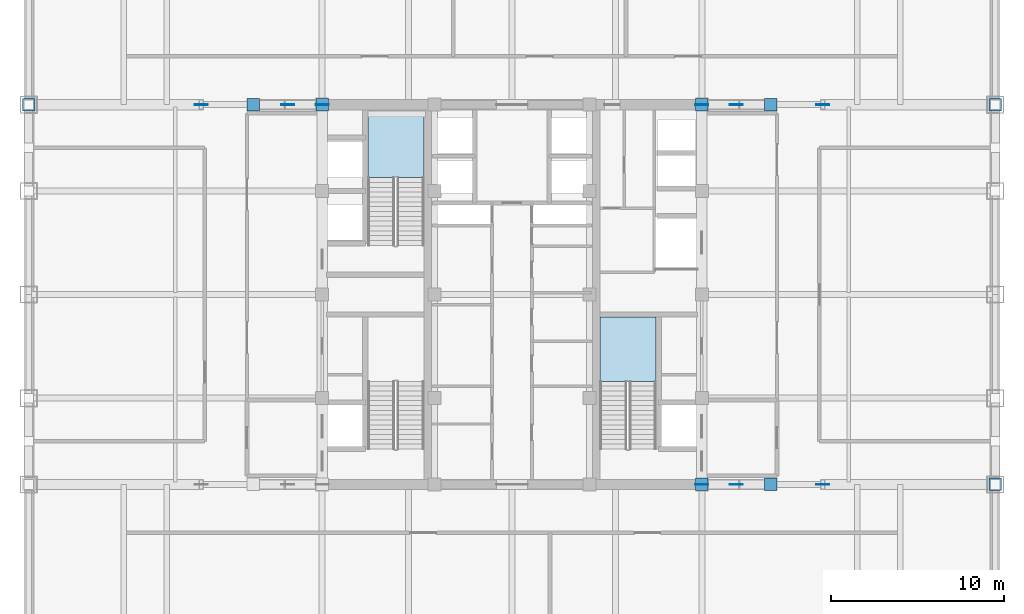
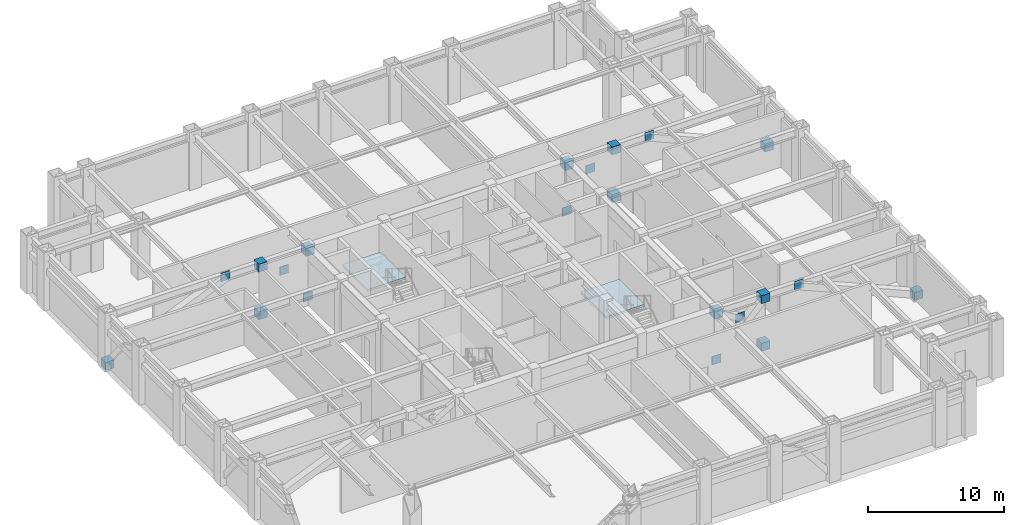
# One storey, part 5 of 11: 21 plates, 2 slabs, 2 elements without a shape of their own.
"""IFC4 building model written with IfcOpenShell, lengths in metres."""

import ifcopenshell
import ifcopenshell.guid

model = None  # the IFC model being written
_history = None  # IfcOwnerHistory: only IFC2X3 demands one
_inside = {}  # id of a spatial element -> (the spatial element, [elements in it])
_under = {}  # id of a project, library or spatial element -> (it, [spatial elements below it])
_declared = {}  # id of a project -> (the project, [libraries it declares])
_typed = {}  # id of a type object -> (the type object, [elements of that type])
_made_of = {}  # id of a material, layer set ... -> (it, [elements and type objects made of it])


def new_model(schema):
    """Start an empty IFC model of exactly this schema.

    Asked for "IFC4X3", IfcOpenShell would pick the latest addendum, in which some entities
    have other attributes; the version numbers below select the first issue.
    IFC2X3 requires an IfcOwnerHistory on every rooted entity: one is made here for all.
    """
    global model, _history
    if schema == "IFC4X3":
        model = ifcopenshell.file(schema_version=(4, 3, 0, 0))
    else:
        model = ifcopenshell.file(schema=schema)
    _inside.clear()
    _under.clear()
    _declared.clear()
    _typed.clear()
    _made_of.clear()
    _history = None
    if model.schema == "IFC2X3":
        org = make("IfcOrganization", Name="unknown")
        user = make(
            "IfcPersonAndOrganization",
            ThePerson=make("IfcPerson", FamilyName="unknown"),
            TheOrganization=org,
        )
        app = make(
            "IfcApplication",
            ApplicationDeveloper=org,
            Version="unknown",
            ApplicationFullName="unknown",
            ApplicationIdentifier="unknown",
        )
        _history = make(
            "IfcOwnerHistory",
            OwningUser=user,
            OwningApplication=app,
            ChangeAction="ADDED",
            CreationDate=0,
        )
    return model


def make(cls, **values):
    """One entity of the class cls with the attributes given. An attribute that is None is left unset."""
    return model.create_entity(
        cls, **{name: value for name, value in values.items() if value is not None}
    )


def rooted(cls, **values):
    """An entity with a GlobalId (a new one), such as an element, a storey or a relation."""
    return make(cls, GlobalId=ifcopenshell.guid.new(), OwnerHistory=_history, **values)


def si_unit(unit_type, name, prefix=None):
    """IfcSIUnit, for example si_unit("LENGTHUNIT", "METRE", prefix="MILLI")."""
    return make("IfcSIUnit", UnitType=unit_type, Prefix=prefix, Name=name)


def assignment(units):
    """IfcUnitAssignment: the units of a project."""
    return None if units is None else make("IfcUnitAssignment", Units=units)


def point(xyz):
    """IfcCartesianPoint."""
    return None if xyz is None else make("IfcCartesianPoint", Coordinates=xyz)


def direction(xyz):
    """IfcDirection."""
    return None if xyz is None else make("IfcDirection", DirectionRatios=xyz)


def frame(location, z_axis=None, x_axis=None):
    """IfcAxis2Placement3D, a coordinate frame: its origin and axes. An axis left out is left unset."""
    return make(
        "IfcAxis2Placement3D",
        Location=point(location),
        Axis=direction(z_axis),
        RefDirection=direction(x_axis),
    )


def frame_2d(location, x_axis=None):
    """IfcAxis2Placement2D, a coordinate frame in the plane: its origin and x axis."""
    return make(
        "IfcAxis2Placement2D", Location=point(location), RefDirection=direction(x_axis)
    )


def origin():
    """The frame at (0, 0, 0) with its axes left unset."""
    return frame((0.0, 0.0, 0.0))


def origin_2d():
    """The frame at (0, 0) in the plane with its x axis left unset."""
    return frame_2d((0.0, 0.0))


def place(relative_to, where):
    """IfcLocalPlacement: puts the frame where relative to a parent placement (None: the world)."""
    return make(
        "IfcLocalPlacement", PlacementRelTo=relative_to, RelativePlacement=where
    )


def context(
    kind, dimensions, precision=None, world=None, true_north=None, identifier=None
):
    """IfcGeometricRepresentationContext, for example the 3D "Model" context."""
    return make(
        "IfcGeometricRepresentationContext",
        ContextIdentifier=identifier,
        ContextType=kind,
        CoordinateSpaceDimension=dimensions,
        Precision=precision,
        WorldCoordinateSystem=world,
        TrueNorth=true_north,
    )


def subcontext(parent, identifier, kind, view, scale=None):
    """IfcGeometricRepresentationSubContext, for example "Body" below "Model"."""
    return make(
        "IfcGeometricRepresentationSubContext",
        ContextIdentifier=identifier,
        ContextType=kind,
        ParentContext=parent,
        TargetScale=scale,
        TargetView=view,
    )


def project(units=None, contexts=None):
    """IfcProject with its units and contexts."""
    return rooted(
        "IfcProject",
        Name="project",
        RepresentationContexts=contexts,
        UnitsInContext=assignment(units),
    )


def spatial(cls, under=None, at=None, **own):
    """A site, building, storey or space (cls), placed at a placement, below another one or the project."""
    s = rooted(cls, ObjectPlacement=at, **own)
    if under is not None:
        _under.setdefault(under.id(), (under, []))[1].append(s)
    return s


def polyline(points):
    """IfcPolyline through the points."""
    return make("IfcPolyline", Points=[point(p) for p in points])


def profile(cls, at=None, kind="AREA", **sizes):
    """A parametric profile (cls). Its sizes go by their IFC names, for example OverallWidth=200.0."""
    return make(cls, ProfileType=kind, Position=at, **sizes)


def rectangle(**sizes):
    """IfcRectangleProfileDef."""
    return profile("IfcRectangleProfileDef", **sizes)


def outline(outer, holes=None, kind="AREA"):
    """IfcArbitraryClosedProfileDef: a profile drawn as a closed curve; with holes, ...WithVoids."""
    if holes is None:
        return make("IfcArbitraryClosedProfileDef", ProfileType=kind, OuterCurve=outer)
    return make(
        "IfcArbitraryProfileDefWithVoids",
        ProfileType=kind,
        OuterCurve=outer,
        InnerCurves=holes,
    )


def extrude(swept, where, along, depth):
    """IfcExtrudedAreaSolid: the profile swept, set in the frame where, extruded along a direction by depth."""
    return make(
        "IfcExtrudedAreaSolid",
        SweptArea=swept,
        Position=where,
        ExtrudedDirection=direction(along),
        Depth=depth,
    )


def shape(context_of_items, identifier, shape_type, items):
    """IfcShapeRepresentation: the items that make up one representation, for example the "Body"."""
    return make(
        "IfcShapeRepresentation",
        ContextOfItems=context_of_items,
        RepresentationIdentifier=identifier,
        RepresentationType=shape_type,
        Items=items,
    )


def source(mapping_origin, context_of_items, identifier, shape_type, items):
    """IfcRepresentationMap: a shape defined once, which mapped items show again and again."""
    return make(
        "IfcRepresentationMap",
        MappingOrigin=mapping_origin,
        MappedRepresentation=shape(context_of_items, identifier, shape_type, items),
    )


def transform(
    local_origin,
    x_axis=None,
    y_axis=None,
    z_axis=None,
    scale=None,
    scale2=None,
    scale3=None,
    uniform=True,
):
    """IfcCartesianTransformationOperator3D, or its non-uniform kind. x_axis, y_axis, z_axis: its Axis1, 2, 3."""
    if uniform:
        return make(
            "IfcCartesianTransformationOperator3D",
            Axis1=direction(x_axis),
            Axis2=direction(y_axis),
            LocalOrigin=point(local_origin),
            Scale=scale,
            Axis3=direction(z_axis),
        )
    return make(
        "IfcCartesianTransformationOperator3DnonUniform",
        Axis1=direction(x_axis),
        Axis2=direction(y_axis),
        LocalOrigin=point(local_origin),
        Scale=scale,
        Axis3=direction(z_axis),
        Scale2=scale2,
        Scale3=scale3,
    )


def mapped(mapping_source, mapping_target):
    """IfcMappedItem: shows the shape of a source again, moved by a transform."""
    return make(
        "IfcMappedItem", MappingSource=mapping_source, MappingTarget=mapping_target
    )


def material(Name=None, Category=None):
    """IfcMaterial."""
    return make("IfcMaterial", Name=Name, Category=Category)


def layer(
    of_material, thickness, ventilated=None, Name=None, Category=None, Priority=None
):
    """IfcMaterialLayer: one layer of a wall or slab, of a material (None: an air gap)."""
    return make(
        "IfcMaterialLayer",
        Material=of_material,
        LayerThickness=thickness,
        IsVentilated=ventilated,
        Name=Name,
        Category=Category,
        Priority=Priority,
    )


def layer_set(layers, Name=None):
    """IfcMaterialLayerSet."""
    return make("IfcMaterialLayerSet", MaterialLayers=layers, LayerSetName=Name)


def made_of(thing, what):
    """Note that an element or type object is made of a material, layer set ...; save() writes the relation."""
    if what is not None:
        _made_of.setdefault(what.id(), (what, []))[1].append(thing)
    return thing


def type_object(cls, material=None, **own):
    """A type object (cls), such as IfcWallType, which elements share."""
    return made_of(rooted(cls, **own), material)


def element(
    cls,
    number,
    at=None,
    inside=None,
    cuts=None,
    type_object=None,
    material=None,
    context=None,
    identifier="Body",
    shape_type=None,
    held_by="IfcProductDefinitionShape",
    body=None,
    shapes=None,
    **own,
):
    """One element of the class cls, such as IfcWall. Its Tag is "e" and its number.

    at: its placement. inside: the storey or other place that contains it. cuts: it is an
    opening in that element (IfcRelVoidsElement). A single representation is given by context,
    identifier, shape_type and body (its items); several are given by shapes. held_by: the class
    of the entity that holds the representations. save() writes the other relations.
    """
    e = rooted(cls, Tag="e%d" % number, ObjectPlacement=at, **own)
    if body is not None:
        shapes = [shape(context, identifier, shape_type, body)]
    if shapes is not None:
        e.Representation = make(held_by, Representations=shapes)
    if inside is not None:
        _inside.setdefault(inside.id(), (inside, []))[1].append(e)
    if cuts is not None:
        rooted(
            "IfcRelVoidsElement", RelatingBuildingElement=cuts, RelatedOpeningElement=e
        )
    if type_object is not None:
        _typed.setdefault(type_object.id(), (type_object, []))[1].append(e)
    return made_of(e, material)


def aggregate(whole, parts):
    """IfcRelAggregates: a whole, such as a stair, and the parts it consists of."""
    return rooted("IfcRelAggregates", RelatingObject=whole, RelatedObjects=parts)


def save(model, path):
    """Write the relations noted so far, then the file.

    IfcRelAggregates (storeys below a building ...), IfcRelContainedInSpatialStructure (elements
    in a storey), IfcRelDefinesByType, IfcRelAssociatesMaterial and IfcRelDeclares: one each for
    every whole, place, type object, material and project.
    """
    for whole, parts in _under.values():
        aggregate(whole, parts)
    for where, things in _inside.values():
        rooted(
            "IfcRelContainedInSpatialStructure",
            RelatedElements=things,
            RelatingStructure=where,
        )
    for kind, things in _typed.values():
        rooted("IfcRelDefinesByType", RelatedObjects=things, RelatingType=kind)
    for what, things in _made_of.values():
        rooted("IfcRelAssociatesMaterial", RelatedObjects=things, RelatingMaterial=what)
    for by, libraries in _declared.values():
        rooted("IfcRelDeclares", RelatingContext=by, RelatedDefinitions=libraries)
    model.write(path)


model = new_model("IFC4")

# Units and contexts
model_context = context("Model", 3, precision=1e-05, world=origin(), true_north=direction((0.0, 1.0)))
body_context = subcontext(model_context, "Body", "Model", "MODEL_VIEW")
ifc_project = project(units=[si_unit("LENGTHUNIT", "METRE"), si_unit("AREAUNIT", "SQUARE_METRE"), si_unit("VOLUMEUNIT", "CUBIC_METRE"), si_unit("PLANEANGLEUNIT", "RADIAN"), si_unit("MASSUNIT", "GRAM", prefix="KILO")], contexts=[model_context])

# Site, building, storey
site_placement = place(None, origin())
site = spatial("IfcSite", under=ifc_project, at=site_placement, CompositionType="ELEMENT")
building_placement = place(site_placement, origin())
building = spatial("IfcBuilding", under=site, at=building_placement, Name="Khorayat Bourse Tower", CompositionType="ELEMENT")
storey_placement = place(building_placement, frame((0.0, 0.0, 268.300048828125)))
storey = spatial("IfcBuildingStorey", under=building, at=storey_placement, Name="L63", CompositionType="ELEMENT", Elevation=268.300048828125)

# Stair, slab
ifc_material_1 = material(Name="Concrete C40/50", Category="concrete")
stair_type = type_object("IfcStairType", Name="STR-CORE-1550", PredefinedType="HALF_TURN_STAIR", material=ifc_material_1)
stair_1_placement = place(storey_placement, origin())
stair_1 = element("IfcStair", 1, at=stair_1_placement, inside=storey, type_object=stair_type, Name="L63 Exit Stair ST-2", PredefinedType="HALF_TURN_STAIR")
ifc_layer_1 = layer(ifc_material_1, 0.199951171875)
ifc_layer_set_1 = layer_set([ifc_layer_1], Name="Concrete C40/50")
slab_type = type_object("IfcSlabType", Name="SLB-LANDING-200", PredefinedType="LANDING", material=ifc_layer_set_1)
slab_1_placement = place(storey_placement, frame((0.0, 0.0, 2.39990234375)))
slab_1 = element("IfcSlab", 2, at=slab_1_placement, type_object=slab_type, Name="ST-2 landing 1", PredefinedType="LANDING", context=body_context, shape_type="SweptSolid", body=[
    extrude(outline(polyline([(-5.10009765625, 6.77001953125), (-5.10009765625, 10.5), (-8.35009765625, 10.5), (-8.35009765625, 6.77001953125), (-5.10009765625, 6.77001953125)])), origin(), (0.0, 0.0, 1.0), 0.199951171875),
])
aggregate(stair_1, [slab_1])

stair_2_placement = place(storey_placement, origin())
stair_2 = element("IfcStair", 3, at=stair_2_placement, inside=storey, type_object=stair_type, Name="L63 Exit Stair ST-3", PredefinedType="HALF_TURN_STAIR")
slab_2_placement = place(storey_placement, frame((0.0, 0.0, 2.39990234375)))
slab_2 = element("IfcSlab", 4, at=slab_2_placement, type_object=slab_type, Name="ST-3 landing 1", PredefinedType="LANDING", context=body_context, shape_type="SweptSolid", body=[
    extrude(outline(polyline([(8.35009765625, -5.030029296875), (8.35009765625, -1.300048828125), (5.10009765625, -1.300048828125), (5.10009765625, -5.030029296875), (8.35009765625, -5.030029296875)])), origin(), (0.0, 0.0, 1.0), 0.199951171875),
])
aggregate(stair_2, [slab_2])

# Plates
ifc_material_2 = material(Name="Steel EN 10025-4 S460M", Category="steel")
ifc_layer_2 = layer(ifc_material_2, 0.0400390625)
ifc_layer_set_2 = layer_set([ifc_layer_2], Name="Steel EN 10025-4 S460M")
plate_type_1 = type_object("IfcPlateType", Name="PLT-GUSSET-40", PredefinedType="USERDEFINED", material=ifc_layer_set_2)
shared_shape_1 = source(origin(), body_context, "Body", "SweptSolid", [
    extrude(rectangle(XDim=0.760009765625, YDim=0.0400390625, at=origin_2d()), origin(), (0.0, 0.0, 1.0), 0.760009765625),
])
for number, where, z_axis, x_axis, name in (
    (5, (-11.0, 11.0, -0.0302734375), (0.0, 0.0, 1.0), (1.0, 0.0, 0.0), "L63 Outrigger Node Gusset Plate 08"),
    (6, (-18.0, 11.0, 4.25), (0.0, 0.0, 1.0), (1.0, 0.0, 0.0), "L63 Outrigger Node Gusset Plate 10"),
    (7, (-13.0, 11.0, 3.06982421875), (0.0, 0.0, 1.0), (1.0, 0.0, 0.0), "L63 Outrigger X-Crossing Central Gusset Plate 12"),
    (8, (11.0, -11.0, -0.0302734375), (0.0, 0.0, 1.0), (1.0, 0.0, 0.0), "L63 Outrigger Node Gusset Plate 15"),
    (9, (18.0, -11.0, 4.25), (0.0, 0.0, 1.0), (1.0, 0.0, 0.0), "L63 Outrigger Node Gusset Plate 17"),
    (10, (13.0, -11.0, 3.06982421875), (0.0, 0.0, 1.0), (1.0, 0.0, 0.0), "L63 Outrigger X-Crossing Central Gusset Plate 19"),
    (11, (11.0, 11.0, -0.0302734375), (0.0, 0.0, 1.0), (1.0, 0.0, 0.0), "L63 Outrigger Node Gusset Plate 22"),
    (12, (18.0, 11.0, 4.25), (0.0, 0.0, 1.0), (1.0, 0.0, 0.0), "L63 Outrigger Node Gusset Plate 24"),
    (13, (13.0, 11.0, 3.06982421875), (0.0, 0.0, 1.0), (1.0, 0.0, 0.0), "L63 Outrigger X-Crossing Central Gusset Plate 26"),
):
    element("IfcPlate", number, at=place(storey_placement, frame(where, z_axis=z_axis, x_axis=x_axis)), inside=storey, type_object=plate_type_1, Name=name, ObjectType="GUSSET PLATE", PredefinedType="USERDEFINED", context=body_context, shape_type="MappedRepresentation", body=[
        mapped(shared_shape_1, transform((0.0, 0.0, 0.0), scale=1.0)),
    ])
ifc_layer_3 = layer(ifc_material_2, 0.031982421875)
ifc_layer_set_3 = layer_set([ifc_layer_3], Name="Steel EN 10025-4 S460M")
plate_type_2 = type_object("IfcPlateType", Name="PLT-GUSSET-32", PredefinedType="USERDEFINED", material=ifc_layer_set_3)
shared_shape_2 = source(origin(), body_context, "Body", "SweptSolid", [
    extrude(rectangle(XDim=0.719970703125, YDim=0.719970703125, at=origin_2d()), origin(), (0.0, 0.0, 1.0), 0.719970703125),
])
for number, where, z_axis, x_axis, name in (
    (14, (-15.0, 11.0, 4.27001953125), (0.0, 0.0, 1.0), (1.0, 0.0, 0.0), "L63 Outrigger Node Gusset Plate 09"),
    (15, (-28.0, 11.0, -0.01025390625), (0.0, 0.0, 1.0), (1.0, 0.0, 0.0), "L63 Outrigger Node Gusset Plate 11"),
    (16, (-11.0, 11.0, 4.27001953125), (0.0, 0.0, 1.0), (1.0, 0.0, 0.0), "L63 Belt Web Sealed Node Block 13"),
    (17, (-15.0, 11.0, -0.01025390625), (0.0, 0.0, 1.0), (1.0, 0.0, 0.0), "L63 Belt Web Sealed Node Block 14"),
    (18, (15.0, -11.0, 4.27001953125), (0.0, 0.0, 1.0), (1.0, 0.0, 0.0), "L63 Outrigger Node Gusset Plate 16"),
    (19, (28.0, -11.0, -0.01025390625), (0.0, 0.0, 1.0), (1.0, 0.0, 0.0), "L63 Outrigger Node Gusset Plate 18"),
    (20, (11.0, -11.0, 4.27001953125), (0.0, 0.0, 1.0), (1.0, 0.0, 0.0), "L63 Belt Web Sealed Node Block 20"),
    (21, (15.0, -11.0, -0.01025390625), (0.0, 0.0, 1.0), (1.0, 0.0, 0.0), "L63 Belt Web Sealed Node Block 21"),
    (22, (15.0, 11.0, 4.27001953125), (0.0, 0.0, 1.0), (1.0, 0.0, 0.0), "L63 Outrigger Node Gusset Plate 23"),
    (23, (28.0, 11.0, -0.01025390625), (0.0, 0.0, 1.0), (1.0, 0.0, 0.0), "L63 Outrigger Node Gusset Plate 25"),
    (24, (11.0, 11.0, 4.27001953125), (0.0, 0.0, 1.0), (1.0, 0.0, 0.0), "L63 Belt Web Sealed Node Block 27"),
    (25, (15.0, 11.0, -0.01025390625), (0.0, 0.0, 1.0), (1.0, 0.0, 0.0), "L63 Belt Web Sealed Node Block 28"),
):
    element("IfcPlate", number, at=place(storey_placement, frame(where, z_axis=z_axis, x_axis=x_axis)), inside=storey, type_object=plate_type_2, Name=name, ObjectType="GUSSET PLATE", PredefinedType="USERDEFINED", context=body_context, shape_type="MappedRepresentation", body=[
        mapped(shared_shape_2, transform((0.0, 0.0, 0.0), scale=1.0)),
    ])

save(model, "model.ifc")
